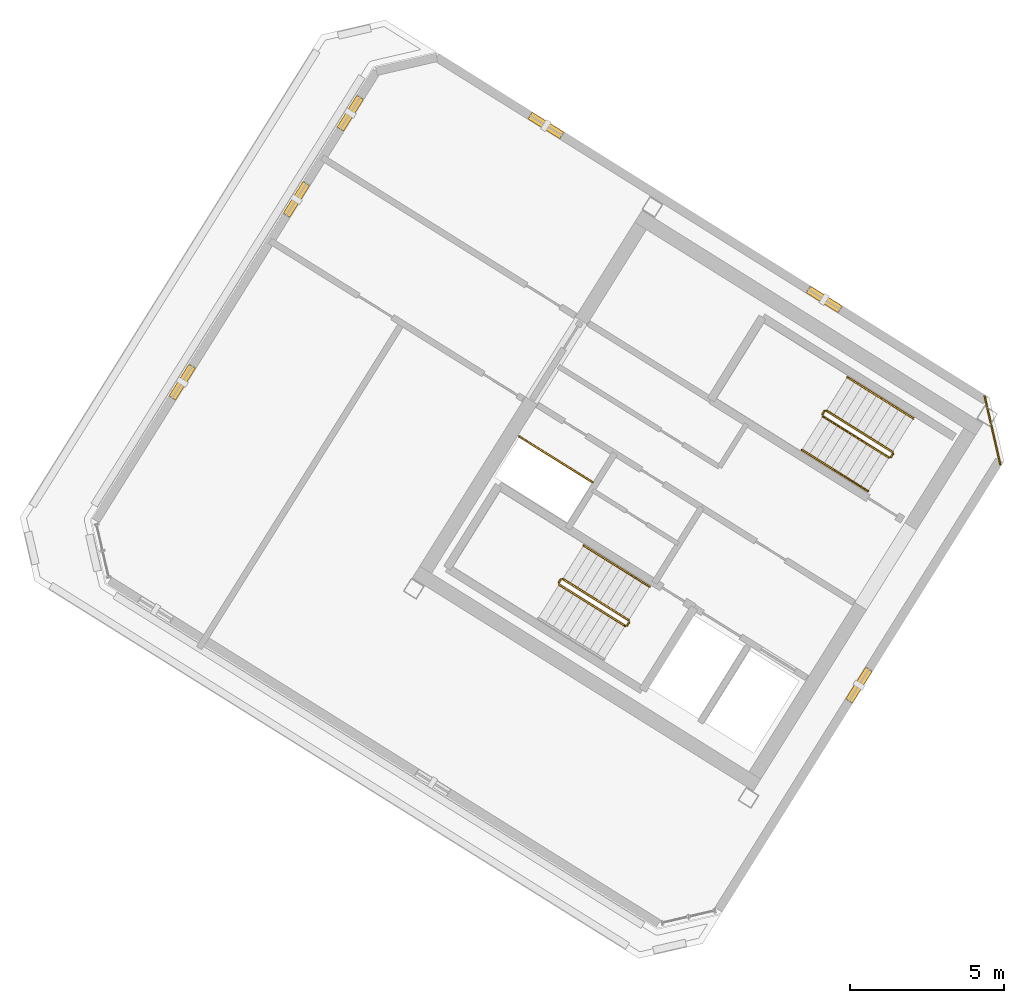
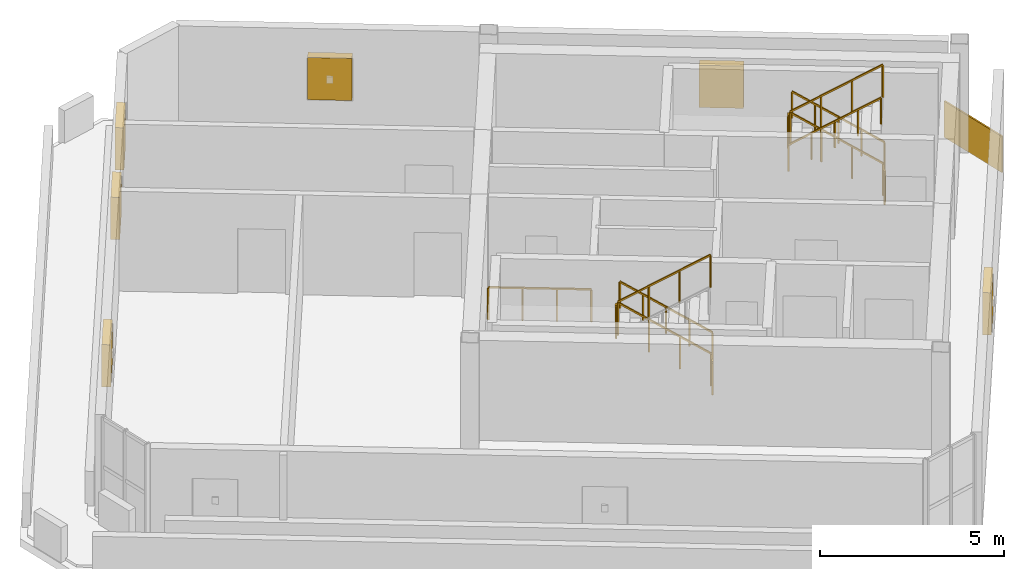
# One storey, part 8 of 8: 15 railings, 6 shading devices, 1 covering.
"""IFC4 building model written with IfcOpenShell, lengths in metres."""

import ifcopenshell
import ifcopenshell.guid

model = None  # the IFC model being written
_history = None  # IfcOwnerHistory: only IFC2X3 demands one
_inside = {}  # id of a spatial element -> (the spatial element, [elements in it])
_under = {}  # id of a project, library or spatial element -> (it, [spatial elements below it])
_declared = {}  # id of a project -> (the project, [libraries it declares])
_typed = {}  # id of a type object -> (the type object, [elements of that type])
_made_of = {}  # id of a material, layer set ... -> (it, [elements and type objects made of it])


def new_model(schema):
    """Start an empty IFC model of exactly this schema.

    Asked for "IFC4X3", IfcOpenShell would pick the latest addendum, in which some entities
    have other attributes; the version numbers below select the first issue.
    IFC2X3 requires an IfcOwnerHistory on every rooted entity: one is made here for all.
    """
    global model, _history
    if schema == "IFC4X3":
        model = ifcopenshell.file(schema_version=(4, 3, 0, 0))
    else:
        model = ifcopenshell.file(schema=schema)
    _inside.clear()
    _under.clear()
    _declared.clear()
    _typed.clear()
    _made_of.clear()
    _history = None
    if model.schema == "IFC2X3":
        org = make("IfcOrganization", Name="unknown")
        user = make(
            "IfcPersonAndOrganization",
            ThePerson=make("IfcPerson", FamilyName="unknown"),
            TheOrganization=org,
        )
        app = make(
            "IfcApplication",
            ApplicationDeveloper=org,
            Version="unknown",
            ApplicationFullName="unknown",
            ApplicationIdentifier="unknown",
        )
        _history = make(
            "IfcOwnerHistory",
            OwningUser=user,
            OwningApplication=app,
            ChangeAction="ADDED",
            CreationDate=0,
        )
    return model


def make(cls, **values):
    """One entity of the class cls with the attributes given. An attribute that is None is left unset."""
    return model.create_entity(
        cls, **{name: value for name, value in values.items() if value is not None}
    )


def rooted(cls, **values):
    """An entity with a GlobalId (a new one), such as an element, a storey or a relation."""
    return make(cls, GlobalId=ifcopenshell.guid.new(), OwnerHistory=_history, **values)


def si_unit(unit_type, name, prefix=None):
    """IfcSIUnit, for example si_unit("LENGTHUNIT", "METRE", prefix="MILLI")."""
    return make("IfcSIUnit", UnitType=unit_type, Prefix=prefix, Name=name)


def assignment(units):
    """IfcUnitAssignment: the units of a project."""
    return None if units is None else make("IfcUnitAssignment", Units=units)


def point(xyz):
    """IfcCartesianPoint."""
    return None if xyz is None else make("IfcCartesianPoint", Coordinates=xyz)


def direction(xyz):
    """IfcDirection."""
    return None if xyz is None else make("IfcDirection", DirectionRatios=xyz)


def frame(location, z_axis=None, x_axis=None):
    """IfcAxis2Placement3D, a coordinate frame: its origin and axes. An axis left out is left unset."""
    return make(
        "IfcAxis2Placement3D",
        Location=point(location),
        Axis=direction(z_axis),
        RefDirection=direction(x_axis),
    )


def frame_2d(location, x_axis=None):
    """IfcAxis2Placement2D, a coordinate frame in the plane: its origin and x axis."""
    return make(
        "IfcAxis2Placement2D", Location=point(location), RefDirection=direction(x_axis)
    )


def origin():
    """The frame at (0, 0, 0) with its axes left unset."""
    return frame((0.0, 0.0, 0.0))


def origin_2d():
    """The frame at (0, 0) in the plane with its x axis left unset."""
    return frame_2d((0.0, 0.0))


def place(relative_to, where):
    """IfcLocalPlacement: puts the frame where relative to a parent placement (None: the world)."""
    return make(
        "IfcLocalPlacement", PlacementRelTo=relative_to, RelativePlacement=where
    )


def context(
    kind, dimensions, precision=None, world=None, true_north=None, identifier=None
):
    """IfcGeometricRepresentationContext, for example the 3D "Model" context."""
    return make(
        "IfcGeometricRepresentationContext",
        ContextIdentifier=identifier,
        ContextType=kind,
        CoordinateSpaceDimension=dimensions,
        Precision=precision,
        WorldCoordinateSystem=world,
        TrueNorth=true_north,
    )


def subcontext(parent, identifier, kind, view, scale=None):
    """IfcGeometricRepresentationSubContext, for example "Body" below "Model"."""
    return make(
        "IfcGeometricRepresentationSubContext",
        ContextIdentifier=identifier,
        ContextType=kind,
        ParentContext=parent,
        TargetScale=scale,
        TargetView=view,
    )


def project(units=None, contexts=None):
    """IfcProject with its units and contexts."""
    return rooted(
        "IfcProject",
        Name="project",
        RepresentationContexts=contexts,
        UnitsInContext=assignment(units),
    )


def spatial(cls, under=None, at=None, **own):
    """A site, building, storey or space (cls), placed at a placement, below another one or the project."""
    s = rooted(cls, ObjectPlacement=at, **own)
    if under is not None:
        _under.setdefault(under.id(), (under, []))[1].append(s)
    return s


def profile(cls, at=None, kind="AREA", **sizes):
    """A parametric profile (cls). Its sizes go by their IFC names, for example OverallWidth=200.0."""
    return make(cls, ProfileType=kind, Position=at, **sizes)


def rectangle(**sizes):
    """IfcRectangleProfileDef."""
    return profile("IfcRectangleProfileDef", **sizes)


def extrude(swept, where, along, depth):
    """IfcExtrudedAreaSolid: the profile swept, set in the frame where, extruded along a direction by depth."""
    return make(
        "IfcExtrudedAreaSolid",
        SweptArea=swept,
        Position=where,
        ExtrudedDirection=direction(along),
        Depth=depth,
    )


def shape(context_of_items, identifier, shape_type, items):
    """IfcShapeRepresentation: the items that make up one representation, for example the "Body"."""
    return make(
        "IfcShapeRepresentation",
        ContextOfItems=context_of_items,
        RepresentationIdentifier=identifier,
        RepresentationType=shape_type,
        Items=items,
    )


def source(mapping_origin, context_of_items, identifier, shape_type, items):
    """IfcRepresentationMap: a shape defined once, which mapped items show again and again."""
    return make(
        "IfcRepresentationMap",
        MappingOrigin=mapping_origin,
        MappedRepresentation=shape(context_of_items, identifier, shape_type, items),
    )


def transform(
    local_origin,
    x_axis=None,
    y_axis=None,
    z_axis=None,
    scale=None,
    scale2=None,
    scale3=None,
    uniform=True,
):
    """IfcCartesianTransformationOperator3D, or its non-uniform kind. x_axis, y_axis, z_axis: its Axis1, 2, 3."""
    if uniform:
        return make(
            "IfcCartesianTransformationOperator3D",
            Axis1=direction(x_axis),
            Axis2=direction(y_axis),
            LocalOrigin=point(local_origin),
            Scale=scale,
            Axis3=direction(z_axis),
        )
    return make(
        "IfcCartesianTransformationOperator3DnonUniform",
        Axis1=direction(x_axis),
        Axis2=direction(y_axis),
        LocalOrigin=point(local_origin),
        Scale=scale,
        Axis3=direction(z_axis),
        Scale2=scale2,
        Scale3=scale3,
    )


def mapped(mapping_source, mapping_target):
    """IfcMappedItem: shows the shape of a source again, moved by a transform."""
    return make(
        "IfcMappedItem", MappingSource=mapping_source, MappingTarget=mapping_target
    )


def material(Name=None, Category=None):
    """IfcMaterial."""
    return make("IfcMaterial", Name=Name, Category=Category)


def layer(
    of_material, thickness, ventilated=None, Name=None, Category=None, Priority=None
):
    """IfcMaterialLayer: one layer of a wall or slab, of a material (None: an air gap)."""
    return make(
        "IfcMaterialLayer",
        Material=of_material,
        LayerThickness=thickness,
        IsVentilated=ventilated,
        Name=Name,
        Category=Category,
        Priority=Priority,
    )


def layer_set(layers, Name=None):
    """IfcMaterialLayerSet."""
    return make("IfcMaterialLayerSet", MaterialLayers=layers, LayerSetName=Name)


def made_of(thing, what):
    """Note that an element or type object is made of a material, layer set ...; save() writes the relation."""
    if what is not None:
        _made_of.setdefault(what.id(), (what, []))[1].append(thing)
    return thing


def type_object(cls, material=None, **own):
    """A type object (cls), such as IfcWallType, which elements share."""
    return made_of(rooted(cls, **own), material)


def element(
    cls,
    number,
    at=None,
    inside=None,
    cuts=None,
    type_object=None,
    material=None,
    context=None,
    identifier="Body",
    shape_type=None,
    held_by="IfcProductDefinitionShape",
    body=None,
    shapes=None,
    **own,
):
    """One element of the class cls, such as IfcWall. Its Tag is "e" and its number.

    at: its placement. inside: the storey or other place that contains it. cuts: it is an
    opening in that element (IfcRelVoidsElement). A single representation is given by context,
    identifier, shape_type and body (its items); several are given by shapes. held_by: the class
    of the entity that holds the representations. save() writes the other relations.
    """
    e = rooted(cls, Tag="e%d" % number, ObjectPlacement=at, **own)
    if body is not None:
        shapes = [shape(context, identifier, shape_type, body)]
    if shapes is not None:
        e.Representation = make(held_by, Representations=shapes)
    if inside is not None:
        _inside.setdefault(inside.id(), (inside, []))[1].append(e)
    if cuts is not None:
        rooted(
            "IfcRelVoidsElement", RelatingBuildingElement=cuts, RelatedOpeningElement=e
        )
    if type_object is not None:
        _typed.setdefault(type_object.id(), (type_object, []))[1].append(e)
    return made_of(e, material)


def aggregate(whole, parts):
    """IfcRelAggregates: a whole, such as a stair, and the parts it consists of."""
    return rooted("IfcRelAggregates", RelatingObject=whole, RelatedObjects=parts)


def save(model, path):
    """Write the relations noted so far, then the file.

    IfcRelAggregates (storeys below a building ...), IfcRelContainedInSpatialStructure (elements
    in a storey), IfcRelDefinesByType, IfcRelAssociatesMaterial and IfcRelDeclares: one each for
    every whole, place, type object, material and project.
    """
    for whole, parts in _under.values():
        aggregate(whole, parts)
    for where, things in _inside.values():
        rooted(
            "IfcRelContainedInSpatialStructure",
            RelatedElements=things,
            RelatingStructure=where,
        )
    for kind, things in _typed.values():
        rooted("IfcRelDefinesByType", RelatedObjects=things, RelatingType=kind)
    for what, things in _made_of.values():
        rooted("IfcRelAssociatesMaterial", RelatedObjects=things, RelatingMaterial=what)
    for by, libraries in _declared.values():
        rooted("IfcRelDeclares", RelatingContext=by, RelatedDefinitions=libraries)
    model.write(path)


model = new_model("IFC4")

# Units and contexts
model_context = context("Model", 3, precision=1e-05, world=origin(), true_north=direction((0.0, 1.0)))
body_context = subcontext(model_context, "Body", "Model", "MODEL_VIEW")
ifc_project = project(units=[si_unit("LENGTHUNIT", "METRE"), si_unit("AREAUNIT", "SQUARE_METRE"), si_unit("VOLUMEUNIT", "CUBIC_METRE"), si_unit("PLANEANGLEUNIT", "RADIAN"), si_unit("MASSUNIT", "GRAM", prefix="KILO")], contexts=[model_context])

# Site, building, storey
site_placement = place(None, origin())
site = spatial("IfcSite", under=ifc_project, at=site_placement, CompositionType="ELEMENT")
building_placement = place(site_placement, origin())
building = spatial("IfcBuilding", under=site, at=building_placement, Name="Tlacorven Tower", CompositionType="ELEMENT")
storey_placement = place(building_placement, frame((0.0, 0.0, 302.39990234375)))
storey = spatial("IfcBuildingStorey", under=building, at=storey_placement, Name="L77", CompositionType="ELEMENT", Elevation=302.39990234375)

# Railing
ifc_material_1 = material(Name="Aluminium and painted steel balustrade", Category="steel")
railing_type_1 = type_object("IfcRailingType", Name="RL-GRD-1100", PredefinedType="GUARDRAIL", material=ifc_material_1)
shared_shape_1 = source(origin(), body_context, "Body", "SweptSolid", [
    extrude(rectangle(XDim=0.048095703125, YDim=0.048095703125, at=origin_2d()), frame((0.0, 0.0, 1.076171875), z_axis=(-0.848091358275, 0.529850024081, 0.0), x_axis=(-0.529850024081, -0.848091358275, 0.0)), (0.0, 0.0, 1.0), 2.800048828125),
    extrude(rectangle(XDim=0.0419921875, YDim=0.0419921875, at=origin_2d()), origin(), (0.0, 0.0, 1.0), 1.052001953125),
    extrude(rectangle(XDim=0.0419921875, YDim=0.0419921875, at=origin_2d()), frame((-0.79150390625, 0.49462890625, 0.0)), (0.0, 0.0, 1.0), 1.052001953125),
    extrude(rectangle(XDim=0.0419921875, YDim=0.0419921875, at=origin_2d()), frame((-1.583251953125, 0.989013671875, 0.0)), (0.0, 0.0, 1.0), 1.052001953125),
    extrude(rectangle(XDim=0.0419921875, YDim=0.0419921875, at=origin_2d()), frame((-2.374755859375, 1.483642578125, 0.0)), (0.0, 0.0, 1.0), 1.052001953125),
])
railing_1_placement = place(storey_placement, frame((27.9912109375, 22.32080078125, 0.0)))
element("IfcRailing", 1, at=railing_1_placement, inside=storey, type_object=railing_type_1, Name="L77 Electrical Riser W Shaft Guard 1", PredefinedType="GUARDRAIL", context=body_context, shape_type="MappedRepresentation", body=[
    mapped(shared_shape_1, transform((0.0, 0.0, 0.0), scale=1.0)),
])

# Shading devices
ifc_material_2 = material(Name="Anodised bronze aluminium acoustic louvre", Category="aluminium")
shading_device_type = type_object("IfcShadingDeviceType", Name="SH-LVR-WND", PredefinedType="JALOUSIE", material=ifc_material_2)
shared_shape_2 = source(origin(), body_context, "Body", "SweptSolid", [
    extrude(rectangle(XDim=1.2099609375, YDim=0.25, at=origin_2d()), origin(), (0.0, 0.0, 1.0), 1.39990234375),
])
for number, where, z_axis, x_axis, name in (
    (2, (36.628662109375, 15.744140625, 0.9501953125), (0.0, 0.0, 1.0), (-0.529918922073, -0.848048309962, 0.0), "L77 Storm-Resistant Acoustic Louvre Bank 1.1"),
    (3, (14.681396484375, 25.57177734375, 0.9501953125), (0.0, 0.0, 1.0), (0.52991918185, 0.848048147635, 0.0), "L77 Storm-Resistant Acoustic Louvre Bank 3.1"),
    (4, (18.383544921875, 31.49609375, 0.9501953125), (0.0, 0.0, 1.0), (0.52991918185, 0.848048147635, 0.0), "L77 Storm-Resistant Acoustic Louvre Bank 3.2"),
    (5, (20.130126953125, 34.291259765625, 0.9501953125), (0.0, 0.0, 1.0), (0.52991918185, 0.848048147635, 0.0), "L77 Storm-Resistant Acoustic Louvre Bank 3.3"),
    (6, (26.4765625, 33.8916015625, 0.9501953125), (0.0, 0.0, 1.0), (0.848048302896, -0.529918933381, 0.0), "L77 Storm-Resistant Acoustic Louvre Bank 5.1"),
    (7, (35.50146484375, 28.252197265625, 0.9501953125), (0.0, 0.0, 1.0), (0.848048302896, -0.529918933381, 0.0), "L77 Storm-Resistant Acoustic Louvre Bank 5.2"),
):
    element("IfcShadingDevice", number, at=place(storey_placement, frame(where, z_axis=z_axis, x_axis=x_axis)), inside=storey, type_object=shading_device_type, Name=name, PredefinedType="JALOUSIE", context=body_context, shape_type="MappedRepresentation", body=[
        mapped(shared_shape_2, transform((0.0, 0.0, 0.0), scale=1.0)),
    ])

# Covering
ifc_material_3 = material(Name="Precast concrete C45/55", Category="concrete")
ifc_layer = layer(ifc_material_3, 0.06005859375)
ifc_layer_set = layer_set([ifc_layer], Name="Precast concrete C45/55")
covering_type = type_object("IfcCoveringType", Name="CV-CLD-TERC", PredefinedType="CLADDING", material=ifc_layer_set)
shared_shape_3 = source(origin(), body_context, "Body", "SweptSolid", [
    extrude(rectangle(XDim=2.305419921875, YDim=0.050048828125, at=origin_2d()), origin(), (0.0, 0.0, 1.0), 1.199951171875),
])
covering_placement = place(storey_placement, frame((40.9560546875, 24.007568359375, -0.02001953125), z_axis=(0.0, 0.0, 1.0), x_axis=(0.22494970827, -0.97437037555, 0.0)))
element("IfcCovering", 8, at=covering_placement, inside=storey, type_object=covering_type, Name="L77 Crown Chamfer Spandrel Closure 1", PredefinedType="CLADDING", context=body_context, shape_type="MappedRepresentation", body=[
    mapped(shared_shape_3, transform((0.0, 0.0, 0.0), scale=1.0)),
])

# Railings
shared_shape_4 = source(origin(), body_context, "Body", "SweptSolid", [
    extrude(rectangle(XDim=0.048095703125, YDim=0.048095703125, at=origin_2d()), frame((0.0, 0.0, 1.076171875), z_axis=(-0.529084052582, -0.848569422795, 0.0), x_axis=(0.848569422795, -0.529084052582, 0.0)), (0.0, 0.0, 1.0), 0.119873046875),
    extrude(rectangle(XDim=0.0419921875, YDim=0.0419921875, at=origin_2d()), origin(), (0.0, 0.0, 1.0), 1.052001953125),
    extrude(rectangle(XDim=0.0419921875, YDim=0.0419921875, at=origin_2d()), frame((-0.0634765625, -0.101806640625, 0.0)), (0.0, 0.0, 1.0), 1.052001953125),
])
railing_2_placement = place(storey_placement, frame((29.176513671875, 17.782958984375, 0.0)))
element("IfcRailing", 9, at=railing_2_placement, inside=storey, type_object=railing_type_1, Name="L77 ST-W1 stair guard 4", PredefinedType="GUARDRAIL", context=body_context, shape_type="MappedRepresentation", body=[
    mapped(shared_shape_4, transform((0.0, 0.0, 0.0), scale=1.0)),
])
shared_shape_5 = source(origin(), body_context, "Body", "SweptSolid", [
    extrude(rectangle(XDim=0.048095703125, YDim=0.048095703125, at=origin_2d()), frame((0.0, 0.0, 1.076171875), z_axis=(-0.530546985787, -0.847655529016, 0.0), x_axis=(0.847655529016, -0.530546985787, 0.0)), (0.0, 0.0, 1.0), 0.1201171875),
    extrude(rectangle(XDim=0.0419921875, YDim=0.0419921875, at=origin_2d()), origin(), (0.0, 0.0, 1.0), 1.052001953125),
    extrude(rectangle(XDim=0.0419921875, YDim=0.0419921875, at=origin_2d()), frame((-0.063720703125, -0.101806640625, 0.0)), (0.0, 0.0, 1.0), 1.052001953125),
])
for number, where, name in (
    (10, (26.954833984375, 19.17138671875, 1.800048828125), "L77 ST-W1 stair guard 2"),
    (11, (37.728271484375, 23.24072265625, 0.0), "L77 ST-W2 stair guard 4"),
):
    element("IfcRailing", number, at=place(storey_placement, frame(where)), inside=storey, type_object=railing_type_1, Name=name, PredefinedType="GUARDRAIL", context=body_context, shape_type="MappedRepresentation", body=[
        mapped(shared_shape_5, transform((0.0, 0.0, 0.0), scale=1.0)),
    ])
shared_shape_6 = source(origin(), body_context, "Body", "SweptSolid", [
    extrude(rectangle(XDim=0.048095703125, YDim=0.048095703125, at=origin_2d()), frame((0.0, 0.0, 1.076171875), z_axis=(0.713359751793, -0.4457479829, 0.540764828981), x_axis=(0.529911857636, 0.848052724267, 0.0)), (0.0, 0.0, 1.0), 2.99609375),
    extrude(rectangle(XDim=0.0419921875, YDim=0.0419921875, at=origin_2d()), origin(), (0.0, 0.0, 1.0), 1.052001953125),
    extrude(rectangle(XDim=0.0419921875, YDim=0.0419921875, at=origin_2d()), frame((0.71240234375, -0.445068359375, 0.5400390625)), (0.0, 0.0, 1.0), 1.052001953125),
    extrude(rectangle(XDim=0.0419921875, YDim=0.0419921875, at=origin_2d()), frame((1.4248046875, -0.890380859375, 1.080078125)), (0.0, 0.0, 1.0), 1.052001953125),
    extrude(rectangle(XDim=0.0419921875, YDim=0.0419921875, at=origin_2d()), frame((2.13720703125, -1.33544921875, 1.6201171875)), (0.0, 0.0, 1.0), 1.052001953125),
])
railing_3_placement = place(storey_placement, frame((26.906982421875, 19.000732421875, 1.97998046875)))
element("IfcRailing", 12, at=railing_3_placement, inside=storey, type_object=railing_type_1, Name="L77 ST-W1 stair guard 3", PredefinedType="GUARDRAIL", context=body_context, shape_type="MappedRepresentation", body=[
    mapped(shared_shape_6, transform((0.0, 0.0, 0.0), scale=1.0)),
])
railing_type_2 = type_object("IfcRailingType", Name="RL-HND-0900", PredefinedType="HANDRAIL", material=ifc_material_1)
shared_shape_7 = source(origin(), body_context, "Body", "SweptSolid", [
    extrude(rectangle(XDim=0.048095703125, YDim=0.048095703125, at=origin_2d()), frame((0.0, 0.0, 0.8759765625), z_axis=(-0.713359751793, 0.4457479829, 0.540764828981), x_axis=(-0.529911857636, -0.848052724267, 0.0)), (0.0, 0.0, 1.0), 1.498046875),
    extrude(rectangle(XDim=0.0419921875, YDim=0.0419921875, at=origin_2d()), origin(), (0.0, 0.0, 1.0), 0.851806640625),
    extrude(rectangle(XDim=0.0419921875, YDim=0.0419921875, at=origin_2d()), frame((-0.5341796875, 0.333984375, 0.405029296875)), (0.0, 0.0, 1.0), 0.851806640625),
    extrude(rectangle(XDim=0.0419921875, YDim=0.0419921875, at=origin_2d()), frame((-1.068603515625, 0.667724609375, 0.81005859375)), (0.0, 0.0, 1.0), 0.851806640625),
])
for number, where, name in (
    (13, (28.7705078125, 19.60498046875, 0.989990234375), "L77 ST-W1 stair handrail 2"),
    (14, (37.322021484375, 25.062744140625, 0.989990234375), "L77 ST-W2 stair handrail 2"),
):
    element("IfcRailing", number, at=place(storey_placement, frame(where)), inside=storey, type_object=railing_type_2, Name=name, PredefinedType="HANDRAIL", context=body_context, shape_type="MappedRepresentation", body=[
        mapped(shared_shape_7, transform((0.0, 0.0, 0.0), scale=1.0)),
    ])
shared_shape_8 = source(origin(), body_context, "Body", "SweptSolid", [
    extrude(rectangle(XDim=0.048095703125, YDim=0.048095703125, at=origin_2d()), frame((0.0, 0.0, 0.8759765625), z_axis=(0.713359751793, -0.4457479829, 0.540764828981), x_axis=(0.529911857636, 0.848052724267, 0.0)), (0.0, 0.0, 1.0), 1.498046875),
    extrude(rectangle(XDim=0.0419921875, YDim=0.0419921875, at=origin_2d()), origin(), (0.0, 0.0, 1.0), 0.851806640625),
    extrude(rectangle(XDim=0.0419921875, YDim=0.0419921875, at=origin_2d()), frame((0.5341796875, -0.333984375, 0.405029296875)), (0.0, 0.0, 1.0), 0.851806640625),
    extrude(rectangle(XDim=0.0419921875, YDim=0.0419921875, at=origin_2d()), frame((1.068603515625, -0.667724609375, 0.81005859375)), (0.0, 0.0, 1.0), 0.851806640625),
])
for number, where, name in (
    (15, (34.7802734375, 23.372802734375, 1.97998046875), "L77 ST-W2 stair handrail 3"),
    (16, (35.848876953125, 22.705078125, 2.7900390625), "L77 ST-W2 stair handrail 4"),
):
    element("IfcRailing", number, at=place(storey_placement, frame(where)), inside=storey, type_object=railing_type_2, Name=name, PredefinedType="HANDRAIL", context=body_context, shape_type="MappedRepresentation", body=[
        mapped(shared_shape_8, transform((0.0, 0.0, 0.0), scale=1.0)),
    ])
shared_shape_9 = source(origin(), body_context, "Body", "SweptSolid", [
    extrude(rectangle(XDim=0.048095703125, YDim=0.048095703125, at=origin_2d()), frame((0.0, 0.0, 1.076171875), z_axis=(-0.713351164325, 0.445793541512, 0.540738601085), x_axis=(-0.529955395941, -0.84802551749, 0.0)), (0.0, 0.0, 1.0), 2.99560546875),
    extrude(rectangle(XDim=0.0419921875, YDim=0.0419921875, at=origin_2d()), origin(), (0.0, 0.0, 1.0), 1.052001953125),
    extrude(rectangle(XDim=0.0419921875, YDim=0.0419921875, at=origin_2d()), frame((-0.71240234375, 0.445068359375, 0.5400390625)), (0.0, 0.0, 1.0), 1.052001953125),
    extrude(rectangle(XDim=0.0419921875, YDim=0.0419921875, at=origin_2d()), frame((-1.424560546875, 0.890380859375, 1.079833984375)), (0.0, 0.0, 1.0), 1.052001953125),
    extrude(rectangle(XDim=0.0419921875, YDim=0.0419921875, at=origin_2d()), frame((-2.136962890625, 1.33544921875, 1.619873046875)), (0.0, 0.0, 1.0), 1.052001953125),
])
for number, where, name in (
    (17, (29.16064453125, 17.851806640625, 0.18017578125), "L77 ST-W1 stair guard 1"),
    (18, (37.712158203125, 23.3095703125, 0.18017578125), "L77 ST-W2 stair guard 1"),
):
    element("IfcRailing", number, at=place(storey_placement, frame(where)), inside=storey, type_object=railing_type_1, Name=name, PredefinedType="GUARDRAIL", context=body_context, shape_type="MappedRepresentation", body=[
        mapped(shared_shape_9, transform((0.0, 0.0, 0.0), scale=1.0)),
    ])
shared_shape_10 = source(origin(), body_context, "Body", "SweptSolid", [
    extrude(rectangle(XDim=0.048095703125, YDim=0.048095703125, at=origin_2d()), frame((0.0, 0.0, 0.8759765625), z_axis=(-0.713422621445, 0.445787267455, 0.540649494022), x_axis=(-0.529911857636, -0.848052724267, 0.0)), (0.0, 0.0, 1.0), 1.497802734375),
    extrude(rectangle(XDim=0.0419921875, YDim=0.0419921875, at=origin_2d()), origin(), (0.0, 0.0, 1.0), 0.851806640625),
    extrude(rectangle(XDim=0.0419921875, YDim=0.0419921875, at=origin_2d()), frame((-0.5341796875, 0.333984375, 0.40478515625)), (0.0, 0.0, 1.0), 0.851806640625),
    extrude(rectangle(XDim=0.0419921875, YDim=0.0419921875, at=origin_2d()), frame((-1.068603515625, 0.667724609375, 0.809814453125)), (0.0, 0.0, 1.0), 0.851806640625),
])
for number, where, name in (
    (19, (29.839111328125, 18.937255859375, 0.18017578125), "L77 ST-W1 stair handrail 1"),
    (20, (38.390625, 24.39501953125, 0.18017578125), "L77 ST-W2 stair handrail 1"),
):
    element("IfcRailing", number, at=place(storey_placement, frame(where)), inside=storey, type_object=railing_type_2, Name=name, PredefinedType="HANDRAIL", context=body_context, shape_type="MappedRepresentation", body=[
        mapped(shared_shape_10, transform((0.0, 0.0, 0.0), scale=1.0)),
    ])
shared_shape_11 = source(origin(), body_context, "Body", "SweptSolid", [
    extrude(rectangle(XDim=0.048095703125, YDim=0.048095703125, at=origin_2d()), frame((0.0, 0.0, 1.076171875), z_axis=(-0.531462422766, -0.847081869236, 0.0), x_axis=(0.847081869236, -0.531462422766, 0.0)), (0.0, 0.0, 1.0), 0.119873046875),
    extrude(rectangle(XDim=0.0419921875, YDim=0.0419921875, at=origin_2d()), origin(), (0.0, 0.0, 1.0), 1.052001953125),
    extrude(rectangle(XDim=0.0419921875, YDim=0.0419921875, at=origin_2d()), frame((-0.063720703125, -0.1015625, 0.0)), (0.0, 0.0, 1.0), 1.052001953125),
])
railing_4_placement = place(storey_placement, frame((35.50634765625, 24.62890625, 1.800048828125)))
element("IfcRailing", 21, at=railing_4_placement, inside=storey, type_object=railing_type_1, Name="L77 ST-W2 stair guard 2", PredefinedType="GUARDRAIL", context=body_context, shape_type="MappedRepresentation", body=[
    mapped(shared_shape_11, transform((0.0, 0.0, 0.0), scale=1.0)),
])
shared_shape_12 = source(origin(), body_context, "Body", "SweptSolid", [
    extrude(rectangle(XDim=0.048095703125, YDim=0.048095703125, at=origin_2d()), frame((0.0, 0.0, 1.076171875), z_axis=(0.713385662783, -0.445682681033, 0.540784470897), x_axis=(0.52984217967, 0.848096259066, 0.0)), (0.0, 0.0, 1.0), 2.995849609375),
    extrude(rectangle(XDim=0.0419921875, YDim=0.0419921875, at=origin_2d()), origin(), (0.0, 0.0, 1.0), 1.052001953125),
    extrude(rectangle(XDim=0.0419921875, YDim=0.0419921875, at=origin_2d()), frame((0.71240234375, -0.445068359375, 0.5400390625)), (0.0, 0.0, 1.0), 1.052001953125),
    extrude(rectangle(XDim=0.0419921875, YDim=0.0419921875, at=origin_2d()), frame((1.4248046875, -0.89013671875, 1.080078125)), (0.0, 0.0, 1.0), 1.052001953125),
    extrude(rectangle(XDim=0.0419921875, YDim=0.0419921875, at=origin_2d()), frame((2.13720703125, -1.335205078125, 1.6201171875)), (0.0, 0.0, 1.0), 1.052001953125),
])
railing_5_placement = place(storey_placement, frame((35.45849609375, 24.458251953125, 1.97998046875)))
element("IfcRailing", 22, at=railing_5_placement, inside=storey, type_object=railing_type_1, Name="L77 ST-W2 stair guard 3", PredefinedType="GUARDRAIL", context=body_context, shape_type="MappedRepresentation", body=[
    mapped(shared_shape_12, transform((0.0, 0.0, 0.0), scale=1.0)),
])

save(model, "model.ifc")
